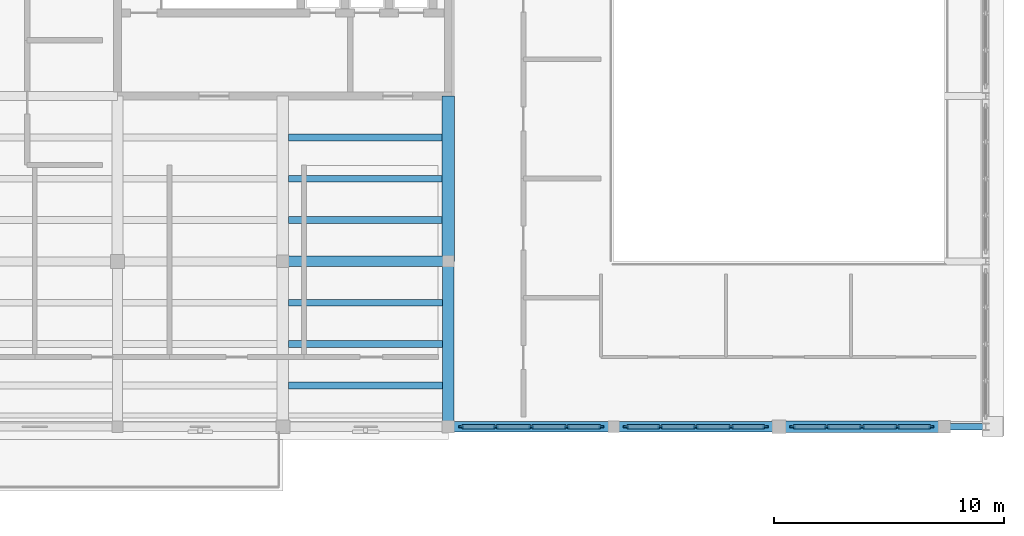
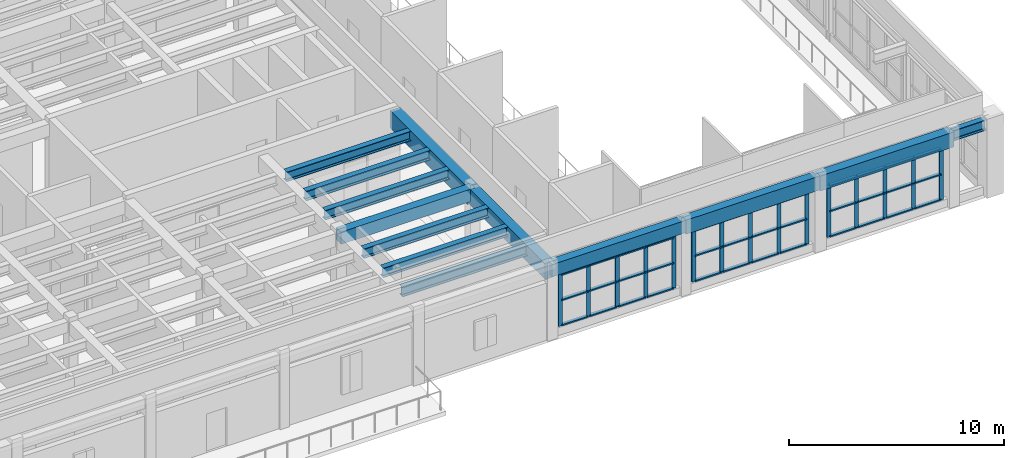
# One storey, part 6 of 18: 51 members, 13 beams, 3 elements without a shape of their own.
"""IFC4 building model written with IfcOpenShell, lengths in metres."""

import ifcopenshell
import ifcopenshell.guid

model = None  # the IFC model being written
_history = None  # IfcOwnerHistory: only IFC2X3 demands one
_inside = {}  # id of a spatial element -> (the spatial element, [elements in it])
_under = {}  # id of a project, library or spatial element -> (it, [spatial elements below it])
_declared = {}  # id of a project -> (the project, [libraries it declares])
_typed = {}  # id of a type object -> (the type object, [elements of that type])
_made_of = {}  # id of a material, layer set ... -> (it, [elements and type objects made of it])


def new_model(schema):
    """Start an empty IFC model of exactly this schema.

    Asked for "IFC4X3", IfcOpenShell would pick the latest addendum, in which some entities
    have other attributes; the version numbers below select the first issue.
    IFC2X3 requires an IfcOwnerHistory on every rooted entity: one is made here for all.
    """
    global model, _history
    if schema == "IFC4X3":
        model = ifcopenshell.file(schema_version=(4, 3, 0, 0))
    else:
        model = ifcopenshell.file(schema=schema)
    _inside.clear()
    _under.clear()
    _declared.clear()
    _typed.clear()
    _made_of.clear()
    _history = None
    if model.schema == "IFC2X3":
        org = make("IfcOrganization", Name="unknown")
        user = make(
            "IfcPersonAndOrganization",
            ThePerson=make("IfcPerson", FamilyName="unknown"),
            TheOrganization=org,
        )
        app = make(
            "IfcApplication",
            ApplicationDeveloper=org,
            Version="unknown",
            ApplicationFullName="unknown",
            ApplicationIdentifier="unknown",
        )
        _history = make(
            "IfcOwnerHistory",
            OwningUser=user,
            OwningApplication=app,
            ChangeAction="ADDED",
            CreationDate=0,
        )
    return model


def make(cls, **values):
    """One entity of the class cls with the attributes given. An attribute that is None is left unset."""
    return model.create_entity(
        cls, **{name: value for name, value in values.items() if value is not None}
    )


def rooted(cls, **values):
    """An entity with a GlobalId (a new one), such as an element, a storey or a relation."""
    return make(cls, GlobalId=ifcopenshell.guid.new(), OwnerHistory=_history, **values)


def si_unit(unit_type, name, prefix=None):
    """IfcSIUnit, for example si_unit("LENGTHUNIT", "METRE", prefix="MILLI")."""
    return make("IfcSIUnit", UnitType=unit_type, Prefix=prefix, Name=name)


def assignment(units):
    """IfcUnitAssignment: the units of a project."""
    return None if units is None else make("IfcUnitAssignment", Units=units)


def point(xyz):
    """IfcCartesianPoint."""
    return None if xyz is None else make("IfcCartesianPoint", Coordinates=xyz)


def direction(xyz):
    """IfcDirection."""
    return None if xyz is None else make("IfcDirection", DirectionRatios=xyz)


def frame(location, z_axis=None, x_axis=None):
    """IfcAxis2Placement3D, a coordinate frame: its origin and axes. An axis left out is left unset."""
    return make(
        "IfcAxis2Placement3D",
        Location=point(location),
        Axis=direction(z_axis),
        RefDirection=direction(x_axis),
    )


def frame_2d(location, x_axis=None):
    """IfcAxis2Placement2D, a coordinate frame in the plane: its origin and x axis."""
    return make(
        "IfcAxis2Placement2D", Location=point(location), RefDirection=direction(x_axis)
    )


def origin():
    """The frame at (0, 0, 0) with its axes left unset."""
    return frame((0.0, 0.0, 0.0))


def origin_2d():
    """The frame at (0, 0) in the plane with its x axis left unset."""
    return frame_2d((0.0, 0.0))


def place(relative_to, where):
    """IfcLocalPlacement: puts the frame where relative to a parent placement (None: the world)."""
    return make(
        "IfcLocalPlacement", PlacementRelTo=relative_to, RelativePlacement=where
    )


def context(
    kind, dimensions, precision=None, world=None, true_north=None, identifier=None
):
    """IfcGeometricRepresentationContext, for example the 3D "Model" context."""
    return make(
        "IfcGeometricRepresentationContext",
        ContextIdentifier=identifier,
        ContextType=kind,
        CoordinateSpaceDimension=dimensions,
        Precision=precision,
        WorldCoordinateSystem=world,
        TrueNorth=true_north,
    )


def subcontext(parent, identifier, kind, view, scale=None):
    """IfcGeometricRepresentationSubContext, for example "Body" below "Model"."""
    return make(
        "IfcGeometricRepresentationSubContext",
        ContextIdentifier=identifier,
        ContextType=kind,
        ParentContext=parent,
        TargetScale=scale,
        TargetView=view,
    )


def project(units=None, contexts=None):
    """IfcProject with its units and contexts."""
    return rooted(
        "IfcProject",
        Name="project",
        RepresentationContexts=contexts,
        UnitsInContext=assignment(units),
    )


def spatial(cls, under=None, at=None, **own):
    """A site, building, storey or space (cls), placed at a placement, below another one or the project."""
    s = rooted(cls, ObjectPlacement=at, **own)
    if under is not None:
        _under.setdefault(under.id(), (under, []))[1].append(s)
    return s


def profile(cls, at=None, kind="AREA", **sizes):
    """A parametric profile (cls). Its sizes go by their IFC names, for example OverallWidth=200.0."""
    return make(cls, ProfileType=kind, Position=at, **sizes)


def rectangle(**sizes):
    """IfcRectangleProfileDef."""
    return profile("IfcRectangleProfileDef", **sizes)


def i_section(**sizes):
    """IfcIShapeProfileDef."""
    return profile("IfcIShapeProfileDef", **sizes)


def extrude(swept, where, along, depth):
    """IfcExtrudedAreaSolid: the profile swept, set in the frame where, extruded along a direction by depth."""
    return make(
        "IfcExtrudedAreaSolid",
        SweptArea=swept,
        Position=where,
        ExtrudedDirection=direction(along),
        Depth=depth,
    )


def shape(context_of_items, identifier, shape_type, items):
    """IfcShapeRepresentation: the items that make up one representation, for example the "Body"."""
    return make(
        "IfcShapeRepresentation",
        ContextOfItems=context_of_items,
        RepresentationIdentifier=identifier,
        RepresentationType=shape_type,
        Items=items,
    )


def material(Name=None, Category=None):
    """IfcMaterial."""
    return make("IfcMaterial", Name=Name, Category=Category)


def material_profile(
    of_material, cross_section, Name=None, Category=None, Priority=None
):
    """IfcMaterialProfile: a cross section and its material."""
    return make(
        "IfcMaterialProfile",
        Name=Name,
        Material=of_material,
        Profile=cross_section,
        Priority=Priority,
        Category=Category,
    )


def profile_set(profiles, Name=None, composite=None):
    """IfcMaterialProfileSet."""
    return make(
        "IfcMaterialProfileSet",
        Name=Name,
        MaterialProfiles=profiles,
        CompositeProfile=composite,
    )


def made_of(thing, what):
    """Note that an element or type object is made of a material, layer set ...; save() writes the relation."""
    if what is not None:
        _made_of.setdefault(what.id(), (what, []))[1].append(thing)
    return thing


def type_object(cls, material=None, **own):
    """A type object (cls), such as IfcWallType, which elements share."""
    return made_of(rooted(cls, **own), material)


def element(
    cls,
    number,
    at=None,
    inside=None,
    cuts=None,
    type_object=None,
    material=None,
    context=None,
    identifier="Body",
    shape_type=None,
    held_by="IfcProductDefinitionShape",
    body=None,
    shapes=None,
    **own,
):
    """One element of the class cls, such as IfcWall. Its Tag is "e" and its number.

    at: its placement. inside: the storey or other place that contains it. cuts: it is an
    opening in that element (IfcRelVoidsElement). A single representation is given by context,
    identifier, shape_type and body (its items); several are given by shapes. held_by: the class
    of the entity that holds the representations. save() writes the other relations.
    """
    e = rooted(cls, Tag="e%d" % number, ObjectPlacement=at, **own)
    if body is not None:
        shapes = [shape(context, identifier, shape_type, body)]
    if shapes is not None:
        e.Representation = make(held_by, Representations=shapes)
    if inside is not None:
        _inside.setdefault(inside.id(), (inside, []))[1].append(e)
    if cuts is not None:
        rooted(
            "IfcRelVoidsElement", RelatingBuildingElement=cuts, RelatedOpeningElement=e
        )
    if type_object is not None:
        _typed.setdefault(type_object.id(), (type_object, []))[1].append(e)
    return made_of(e, material)


def aggregate(whole, parts):
    """IfcRelAggregates: a whole, such as a stair, and the parts it consists of."""
    return rooted("IfcRelAggregates", RelatingObject=whole, RelatedObjects=parts)


def save(model, path):
    """Write the relations noted so far, then the file.

    IfcRelAggregates (storeys below a building ...), IfcRelContainedInSpatialStructure (elements
    in a storey), IfcRelDefinesByType, IfcRelAssociatesMaterial and IfcRelDeclares: one each for
    every whole, place, type object, material and project.
    """
    for whole, parts in _under.values():
        aggregate(whole, parts)
    for where, things in _inside.values():
        rooted(
            "IfcRelContainedInSpatialStructure",
            RelatedElements=things,
            RelatingStructure=where,
        )
    for kind, things in _typed.values():
        rooted("IfcRelDefinesByType", RelatedObjects=things, RelatingType=kind)
    for what, things in _made_of.values():
        rooted("IfcRelAssociatesMaterial", RelatedObjects=things, RelatingMaterial=what)
    for by, libraries in _declared.values():
        rooted("IfcRelDeclares", RelatingContext=by, RelatedDefinitions=libraries)
    model.write(path)


model = new_model("IFC4")

# Units and contexts
model_context = context("Model", 3, precision=1e-05, world=origin(), true_north=direction((0.0, 1.0)))
body_context = subcontext(model_context, "Body", "Model", "MODEL_VIEW")
ifc_project = project(units=[si_unit("LENGTHUNIT", "METRE"), si_unit("AREAUNIT", "SQUARE_METRE"), si_unit("VOLUMEUNIT", "CUBIC_METRE"), si_unit("PLANEANGLEUNIT", "RADIAN"), si_unit("MASSUNIT", "GRAM", prefix="KILO")], contexts=[model_context])

# Site, building, storey
site_placement = place(None, origin())
site = spatial("IfcSite", under=ifc_project, at=site_placement, CompositionType="ELEMENT")
building_placement = place(site_placement, origin())
building = spatial("IfcBuilding", under=site, at=building_placement, Name="Mithqara Police Headquarters", CompositionType="ELEMENT")
storey_placement = place(building_placement, frame((0.0, 0.0, 30.89990234375)))
storey = spatial("IfcBuildingStorey", under=building, at=storey_placement, Name="L07", CompositionType="ELEMENT", Elevation=30.89990234375)

# Beams
ifc_material_1 = material(Name="Steel S355JR", Category="steel")
ifc_material_profile_1 = material_profile(ifc_material_1, i_section(OverallWidth=0.300048828125, OverallDepth=0.550048828125, WebThickness=0.014892578125, FlangeThickness=0.029052734375, FilletRadius=0.027099609375, at=origin_2d()), Name="HEB 550")
ifc_profile_set_1 = profile_set([ifc_material_profile_1], Name="Steel S355JR")
beam_type_1 = type_object("IfcBeamType", Name="BEAM HEB550", PredefinedType="BEAM", material=ifc_profile_set_1)
for number, where, z_axis, x_axis, name in (
    (1, (137.64990234375, 80.39990234375, 3.97509765625), (1.0, 0.0, 0.0), (0.0, 1.0, 0.0), "L07 Composite Steel Joist 20-21/M.1"),
    (2, (137.64990234375, 82.199951171875, 3.97509765625), (1.0, 0.0, 0.0), (0.0, 1.0, 0.0), "L07 Composite Steel Joist 20-21/M.2"),
    (3, (137.64990234375, 84.0, 3.97509765625), (1.0, 0.0, 0.0), (0.0, 1.0, 0.0), "L07 Composite Steel Joist 20-21/M.3"),
):
    element("IfcBeam", number, at=place(storey_placement, frame(where, z_axis=z_axis, x_axis=x_axis)), inside=storey, type_object=beam_type_1, Name=name, PredefinedType="BEAM", context=body_context, shape_type="SweptSolid", body=[
        extrude(i_section(OverallWidth=0.300048828125, OverallDepth=0.550048828125, WebThickness=0.014892578125, FlangeThickness=0.029052734375, FilletRadius=0.027099609375, at=origin_2d()), origin(), (0.0, 0.0, 1.0), 6.7001953125),
    ])
for number, where, z_axis, x_axis, name in (
    (4, (137.64990234375, 87.60009765625, 3.97509765625), (1.0, 0.0, 0.0), (0.0, 1.0, 0.0), "L07 Composite Steel Joist 20-21/N.1"),
    (5, (137.64990234375, 89.39990234375, 3.97509765625), (1.0, 0.0, 0.0), (0.0, 1.0, 0.0), "L07 Composite Steel Joist 20-21/N.2"),
    (6, (137.64990234375, 91.199951171875, 3.97509765625), (1.0, 0.0, 0.0), (0.0, 1.0, 0.0), "L07 Composite Steel Joist 20-21/N.3"),
):
    element("IfcBeam", number, at=place(storey_placement, frame(where, z_axis=z_axis, x_axis=x_axis)), inside=storey, type_object=beam_type_1, Name=name, PredefinedType="BEAM", context=body_context, shape_type="SweptSolid", body=[
        extrude(i_section(OverallWidth=0.300048828125, OverallDepth=0.550048828125, WebThickness=0.014892578125, FlangeThickness=0.029052734375, FilletRadius=0.027099609375, at=origin_2d()), origin(), (0.0, 0.0, 1.0), 6.675048828125),
    ])
ifc_material_2 = material(Name="Concrete C40/50", Category="concrete")
ifc_material_profile_2 = material_profile(ifc_material_2, rectangle(XDim=0.449951171875, YDim=0.699951171875, at=origin_2d()), Name="RC 450x700")
ifc_profile_set_2 = profile_set([ifc_material_profile_2], Name="Concrete C40/50")
beam_type_2 = type_object("IfcBeamType", Name="BEAM RC450X700", PredefinedType="BEAM", material=ifc_profile_set_2)
beam_1_placement = place(storey_placement, frame((137.39990234375, 85.800048828125, 3.900146484375), z_axis=(1.0, 0.0, 0.0), x_axis=(0.0, 1.0, 0.0)))
element("IfcBeam", 7, at=beam_1_placement, inside=storey, type_object=beam_type_2, Name="L07 Girder 20-21/N", PredefinedType="BEAM", context=body_context, shape_type="SweptSolid", body=[
    extrude(rectangle(XDim=0.449951171875, YDim=0.699951171875, at=origin_2d()), origin(), (0.0, 0.0, 1.0), 7.2001953125),
])
beam_2_placement = place(storey_placement, frame((144.60009765625, 78.60009765625, 3.900146484375), z_axis=(1.0, 0.0, 0.0), x_axis=(0.0, 1.0, 0.0)))
element("IfcBeam", 8, at=beam_2_placement, inside=storey, type_object=beam_type_2, Name="L07 Girder 21-22/M", PredefinedType="BEAM", context=body_context, shape_type="SweptSolid", body=[
    extrude(rectangle(XDim=0.449951171875, YDim=0.699951171875, at=origin_2d()), origin(), (0.0, 0.0, 1.0), 7.199951171875),
])
ifc_material_profile_3 = material_profile(ifc_material_2, rectangle(XDim=0.449951171875, YDim=0.800048828125, at=origin_2d()), Name="RC 450x800")
ifc_profile_set_3 = profile_set([ifc_material_profile_3], Name="Concrete C40/50")
beam_type_3 = type_object("IfcBeamType", Name="BEAM RC450X800", PredefinedType="BEAM", material=ifc_profile_set_3)
beam_3_placement = place(storey_placement, frame((151.800048828125, 78.60009765625, 3.85009765625), z_axis=(1.0, 0.0, 0.0), x_axis=(0.0, 1.0, 0.0)))
element("IfcBeam", 9, at=beam_3_placement, inside=storey, type_object=beam_type_3, Name="L07 Girder 22-23/M", PredefinedType="BEAM", context=body_context, shape_type="SweptSolid", body=[
    extrude(rectangle(XDim=0.449951171875, YDim=0.800048828125, at=origin_2d()), origin(), (0.0, 0.0, 1.0), 7.199951171875),
])
ifc_material_profile_4 = material_profile(ifc_material_2, rectangle(XDim=0.5, YDim=0.85009765625, at=origin_2d()), Name="RC 500x850")
ifc_profile_set_4 = profile_set([ifc_material_profile_4], Name="Concrete C40/50")
beam_type_4 = type_object("IfcBeamType", Name="BEAM RC500X850", PredefinedType="BEAM", material=ifc_profile_set_4)
beam_4_placement = place(storey_placement, frame((159.0, 78.60009765625, 3.8251953125), z_axis=(1.0, 0.0, 0.0), x_axis=(0.0, 1.0, 0.0)))
element("IfcBeam", 10, at=beam_4_placement, inside=storey, type_object=beam_type_4, Name="L07 Girder 23-24/M", PredefinedType="BEAM", context=body_context, shape_type="SweptSolid", body=[
    extrude(rectangle(XDim=0.5, YDim=0.85009765625, at=origin_2d()), origin(), (0.0, 0.0, 1.0), 7.199951171875),
])
ifc_material_3 = material(Name="Concrete C50/60", Category="concrete")
ifc_material_profile_5 = material_profile(ifc_material_3, rectangle(XDim=0.5, YDim=0.89990234375, at=origin_2d()), Name="RC 500x900")
ifc_profile_set_5 = profile_set([ifc_material_profile_5], Name="Concrete C50/60")
beam_type_5 = type_object("IfcBeamType", Name="BEAM RC500X900", PredefinedType="BEAM", material=ifc_profile_set_5)
beam_5_placement = place(storey_placement, frame((144.60009765625, 78.60009765625, 3.800048828125), z_axis=(0.0, 1.0, 0.0), x_axis=(-1.0, 0.0, 0.0)))
element("IfcBeam", 11, at=beam_5_placement, inside=storey, type_object=beam_type_5, Name="L07 Girder 21/M-N", PredefinedType="BEAM", context=body_context, shape_type="SweptSolid", body=[
    extrude(rectangle(XDim=0.5, YDim=0.89990234375, at=origin_2d()), origin(), (0.0, 0.0, 1.0), 7.199951171875),
])
ifc_material_profile_6 = material_profile(ifc_material_3, rectangle(XDim=0.550048828125, YDim=1.0, at=origin_2d()), Name="RC 550x1000")
ifc_profile_set_6 = profile_set([ifc_material_profile_6], Name="Concrete C50/60")
beam_type_6 = type_object("IfcBeamType", Name="BEAM RC550X1000", PredefinedType="BEAM", material=ifc_profile_set_6)
beam_6_placement = place(storey_placement, frame((144.60009765625, 85.800048828125, 3.75), z_axis=(0.0, 1.0, 0.0), x_axis=(-1.0, 0.0, 0.0)))
element("IfcBeam", 12, at=beam_6_placement, inside=storey, type_object=beam_type_6, Name="L07 Girder 21/N-P", PredefinedType="BEAM", context=body_context, shape_type="SweptSolid", body=[
    extrude(rectangle(XDim=0.550048828125, YDim=1.0, at=origin_2d()), origin(), (0.0, 0.0, 1.0), 7.199951171875),
])

# Curtain wall, members
ifc_material_4 = material(Name="Bronze anodised aluminium 6063-T6", Category="aluminium")
curtain_wall_type_1 = type_object("IfcCurtainWallType", Name="CURTAIN WALL 6175X2950", PredefinedType="USERDEFINED", material=ifc_material_4)
curtain_wall_1_placement = place(storey_placement, origin())
curtain_wall_1 = element("IfcCurtainWall", 13, at=curtain_wall_1_placement, inside=storey, type_object=curtain_wall_type_1, Name="L07 Unitised Glazing CW-06 (CW-CUBE-L07-P0-E01-S0-00)", ObjectType="UNITISED GLAZING", PredefinedType="USERDEFINED")
ifc_material_profile_7 = material_profile(ifc_material_4, rectangle(XDim=0.074951171875, YDim=0.219970703125, at=origin_2d()), Name="CWM 75x220")
ifc_profile_set_7 = profile_set([ifc_material_profile_7], Name="Bronze anodised aluminium 6063-T6")
member_type_1 = type_object("IfcMemberType", Name="CWMULLION 75X220", PredefinedType="MULLION", material=ifc_profile_set_7)
member_1_placement = place(storey_placement, frame((145.16259765625, 78.60009765625, 0.4501953125), z_axis=(0.0, 0.0, 1.0), x_axis=(0.0, 1.0, 0.0)))
member_1 = element("IfcMember", 14, at=member_1_placement, type_object=member_type_1, Name="CW-06 mullion 1", PredefinedType="MULLION", context=body_context, shape_type="SweptSolid", body=[
    extrude(rectangle(XDim=0.074951171875, YDim=0.219970703125, at=origin_2d()), origin(), (0.0, 0.0, 1.0), 2.949951171875),
])
member_2_placement = place(storey_placement, frame((146.668701171875, 78.60009765625, 0.4501953125), z_axis=(0.0, 0.0, 1.0), x_axis=(0.0, 1.0, 0.0)))
member_2 = element("IfcMember", 15, at=member_2_placement, type_object=member_type_1, Name="CW-06 mullion 2", PredefinedType="MULLION", context=body_context, shape_type="SweptSolid", body=[
    extrude(rectangle(XDim=0.074951171875, YDim=0.219970703125, at=origin_2d()), origin(), (0.0, 0.0, 1.0), 2.949951171875),
])
member_3_placement = place(storey_placement, frame((148.21240234375, 78.60009765625, 0.4501953125), z_axis=(0.0, 0.0, 1.0), x_axis=(0.0, 1.0, 0.0)))
member_3 = element("IfcMember", 16, at=member_3_placement, type_object=member_type_1, Name="CW-06 mullion 3", PredefinedType="MULLION", context=body_context, shape_type="SweptSolid", body=[
    extrude(rectangle(XDim=0.074951171875, YDim=0.219970703125, at=origin_2d()), origin(), (0.0, 0.0, 1.0), 2.949951171875),
])
member_4_placement = place(storey_placement, frame((149.75634765625, 78.60009765625, 0.4501953125), z_axis=(0.0, 0.0, 1.0), x_axis=(0.0, 1.0, 0.0)))
member_4 = element("IfcMember", 17, at=member_4_placement, type_object=member_type_1, Name="CW-06 mullion 4", PredefinedType="MULLION", context=body_context, shape_type="SweptSolid", body=[
    extrude(rectangle(XDim=0.074951171875, YDim=0.219970703125, at=origin_2d()), origin(), (0.0, 0.0, 1.0), 2.949951171875),
])
member_5_placement = place(storey_placement, frame((151.262451171875, 78.60009765625, 0.4501953125), z_axis=(0.0, 0.0, 1.0), x_axis=(0.0, 1.0, 0.0)))
member_5 = element("IfcMember", 18, at=member_5_placement, type_object=member_type_1, Name="CW-06 mullion 5", PredefinedType="MULLION", context=body_context, shape_type="SweptSolid", body=[
    extrude(rectangle(XDim=0.074951171875, YDim=0.219970703125, at=origin_2d()), origin(), (0.0, 0.0, 1.0), 2.949951171875),
])

curtain_wall_type_2 = type_object("IfcCurtainWallType", Name="CURTAIN WALL 6150X2950", PredefinedType="USERDEFINED", material=ifc_material_4)
curtain_wall_2_placement = place(storey_placement, origin())
curtain_wall_2 = element("IfcCurtainWall", 19, at=curtain_wall_2_placement, inside=storey, type_object=curtain_wall_type_2, Name="L07 Unitised Glazing CW-07 (CW-CUBE-L07-P0-E01-S0-01)", ObjectType="UNITISED GLAZING", PredefinedType="USERDEFINED")
member_6_placement = place(storey_placement, frame((152.33740234375, 78.60009765625, 0.4501953125), z_axis=(0.0, 0.0, 1.0), x_axis=(0.0, 1.0, 0.0)))
member_6 = element("IfcMember", 20, at=member_6_placement, type_object=member_type_1, Name="CW-07 mullion 1", PredefinedType="MULLION", context=body_context, shape_type="SweptSolid", body=[
    extrude(rectangle(XDim=0.074951171875, YDim=0.219970703125, at=origin_2d()), origin(), (0.0, 0.0, 1.0), 2.949951171875),
])
member_7_placement = place(storey_placement, frame((153.83740234375, 78.60009765625, 0.4501953125), z_axis=(0.0, 0.0, 1.0), x_axis=(0.0, 1.0, 0.0)))
member_7 = element("IfcMember", 21, at=member_7_placement, type_object=member_type_1, Name="CW-07 mullion 2", PredefinedType="MULLION", context=body_context, shape_type="SweptSolid", body=[
    extrude(rectangle(XDim=0.074951171875, YDim=0.219970703125, at=origin_2d()), origin(), (0.0, 0.0, 1.0), 2.949951171875),
])
member_8_placement = place(storey_placement, frame((155.375, 78.60009765625, 0.4501953125), z_axis=(0.0, 0.0, 1.0), x_axis=(0.0, 1.0, 0.0)))
member_8 = element("IfcMember", 22, at=member_8_placement, type_object=member_type_1, Name="CW-07 mullion 3", PredefinedType="MULLION", context=body_context, shape_type="SweptSolid", body=[
    extrude(rectangle(XDim=0.074951171875, YDim=0.219970703125, at=origin_2d()), origin(), (0.0, 0.0, 1.0), 2.949951171875),
])
member_9_placement = place(storey_placement, frame((156.91259765625, 78.60009765625, 0.4501953125), z_axis=(0.0, 0.0, 1.0), x_axis=(0.0, 1.0, 0.0)))
member_9 = element("IfcMember", 23, at=member_9_placement, type_object=member_type_1, Name="CW-07 mullion 4", PredefinedType="MULLION", context=body_context, shape_type="SweptSolid", body=[
    extrude(rectangle(XDim=0.074951171875, YDim=0.219970703125, at=origin_2d()), origin(), (0.0, 0.0, 1.0), 2.949951171875),
])
member_10_placement = place(storey_placement, frame((158.41259765625, 78.60009765625, 0.4501953125), z_axis=(0.0, 0.0, 1.0), x_axis=(0.0, 1.0, 0.0)))
member_10 = element("IfcMember", 24, at=member_10_placement, type_object=member_type_1, Name="CW-07 mullion 5", PredefinedType="MULLION", context=body_context, shape_type="SweptSolid", body=[
    extrude(rectangle(XDim=0.074951171875, YDim=0.219970703125, at=origin_2d()), origin(), (0.0, 0.0, 1.0), 2.949951171875),
])

curtain_wall_type_3 = type_object("IfcCurtainWallType", Name="CURTAIN WALL 6125X2950", PredefinedType="USERDEFINED", material=ifc_material_4)
curtain_wall_3_placement = place(storey_placement, origin())
curtain_wall_3 = element("IfcCurtainWall", 25, at=curtain_wall_3_placement, inside=storey, type_object=curtain_wall_type_3, Name="L07 Unitised Glazing CW-08 (CW-CUBE-L07-P0-E01-S0-02)", ObjectType="UNITISED GLAZING", PredefinedType="USERDEFINED")
member_11_placement = place(storey_placement, frame((159.58740234375, 78.60009765625, 0.4501953125), z_axis=(0.0, 0.0, 1.0), x_axis=(0.0, 1.0, 0.0)))
member_11 = element("IfcMember", 26, at=member_11_placement, type_object=member_type_1, Name="CW-08 mullion 1", PredefinedType="MULLION", context=body_context, shape_type="SweptSolid", body=[
    extrude(rectangle(XDim=0.074951171875, YDim=0.219970703125, at=origin_2d()), origin(), (0.0, 0.0, 1.0), 2.949951171875),
])
member_12_placement = place(storey_placement, frame((161.081298828125, 78.60009765625, 0.4501953125), z_axis=(0.0, 0.0, 1.0), x_axis=(0.0, 1.0, 0.0)))
member_12 = element("IfcMember", 27, at=member_12_placement, type_object=member_type_1, Name="CW-08 mullion 2", PredefinedType="MULLION", context=body_context, shape_type="SweptSolid", body=[
    extrude(rectangle(XDim=0.074951171875, YDim=0.219970703125, at=origin_2d()), origin(), (0.0, 0.0, 1.0), 2.949951171875),
])
member_13_placement = place(storey_placement, frame((162.612548828125, 78.60009765625, 0.4501953125), z_axis=(0.0, 0.0, 1.0), x_axis=(0.0, 1.0, 0.0)))
member_13 = element("IfcMember", 28, at=member_13_placement, type_object=member_type_1, Name="CW-08 mullion 3", PredefinedType="MULLION", context=body_context, shape_type="SweptSolid", body=[
    extrude(rectangle(XDim=0.074951171875, YDim=0.219970703125, at=origin_2d()), origin(), (0.0, 0.0, 1.0), 2.949951171875),
])
member_14_placement = place(storey_placement, frame((164.143798828125, 78.60009765625, 0.4501953125), z_axis=(0.0, 0.0, 1.0), x_axis=(0.0, 1.0, 0.0)))
member_14 = element("IfcMember", 29, at=member_14_placement, type_object=member_type_1, Name="CW-08 mullion 4", PredefinedType="MULLION", context=body_context, shape_type="SweptSolid", body=[
    extrude(rectangle(XDim=0.074951171875, YDim=0.219970703125, at=origin_2d()), origin(), (0.0, 0.0, 1.0), 2.949951171875),
])
member_15_placement = place(storey_placement, frame((165.637451171875, 78.60009765625, 0.4501953125), z_axis=(0.0, 0.0, 1.0), x_axis=(0.0, 1.0, 0.0)))
member_15 = element("IfcMember", 30, at=member_15_placement, type_object=member_type_1, Name="CW-08 mullion 5", PredefinedType="MULLION", context=body_context, shape_type="SweptSolid", body=[
    extrude(rectangle(XDim=0.074951171875, YDim=0.219970703125, at=origin_2d()), origin(), (0.0, 0.0, 1.0), 2.949951171875),
])

# Member
ifc_material_profile_8 = material_profile(ifc_material_4, rectangle(XDim=0.179931640625, YDim=0.074951171875, at=origin_2d()), Name="CWT 180x75")
ifc_profile_set_8 = profile_set([ifc_material_profile_8], Name="Bronze anodised aluminium 6063-T6")
member_type_2 = type_object("IfcMemberType", Name="CWTRANSOM 180X75", PredefinedType="USERDEFINED", material=ifc_profile_set_8)
member_16_placement = place(storey_placement, frame((145.199951171875, 78.60009765625, 0.487548828125), z_axis=(1.0, 0.0, 0.0), x_axis=(0.0, 1.0, 0.0)))
member_16 = element("IfcMember", 31, at=member_16_placement, type_object=member_type_2, Name="CW-06 transom 1.1", ObjectType="TRANSOM", PredefinedType="USERDEFINED", context=body_context, shape_type="SweptSolid", body=[
    extrude(rectangle(XDim=0.179931640625, YDim=0.074951171875, at=origin_2d()), origin(), (0.0, 0.0, 1.0), 1.431396484375),
])

member_17_placement = place(storey_placement, frame((145.199951171875, 78.60009765625, 1.925048828125), z_axis=(1.0, 0.0, 0.0), x_axis=(0.0, 1.0, 0.0)))
member_17 = element("IfcMember", 32, at=member_17_placement, type_object=member_type_2, Name="CW-06 transom 1.2", ObjectType="TRANSOM", PredefinedType="USERDEFINED", context=body_context, shape_type="SweptSolid", body=[
    extrude(rectangle(XDim=0.179931640625, YDim=0.074951171875, at=origin_2d()), origin(), (0.0, 0.0, 1.0), 1.431396484375),
])

member_18_placement = place(storey_placement, frame((145.199951171875, 78.60009765625, 3.362548828125), z_axis=(1.0, 0.0, 0.0), x_axis=(0.0, 1.0, 0.0)))
member_18 = element("IfcMember", 33, at=member_18_placement, type_object=member_type_2, Name="CW-06 transom 1.3", ObjectType="TRANSOM", PredefinedType="USERDEFINED", context=body_context, shape_type="SweptSolid", body=[
    extrude(rectangle(XDim=0.179931640625, YDim=0.074951171875, at=origin_2d()), origin(), (0.0, 0.0, 1.0), 1.431396484375),
])

member_19_placement = place(storey_placement, frame((146.706298828125, 78.60009765625, 0.487548828125), z_axis=(1.0, 0.0, 0.0), x_axis=(0.0, 1.0, 0.0)))
member_19 = element("IfcMember", 34, at=member_19_placement, type_object=member_type_2, Name="CW-06 transom 2.1", ObjectType="TRANSOM", PredefinedType="USERDEFINED", context=body_context, shape_type="SweptSolid", body=[
    extrude(rectangle(XDim=0.179931640625, YDim=0.074951171875, at=origin_2d()), origin(), (0.0, 0.0, 1.0), 1.46875),
])

member_20_placement = place(storey_placement, frame((146.706298828125, 78.60009765625, 1.925048828125), z_axis=(1.0, 0.0, 0.0), x_axis=(0.0, 1.0, 0.0)))
member_20 = element("IfcMember", 35, at=member_20_placement, type_object=member_type_2, Name="CW-06 transom 2.2", ObjectType="TRANSOM", PredefinedType="USERDEFINED", context=body_context, shape_type="SweptSolid", body=[
    extrude(rectangle(XDim=0.179931640625, YDim=0.074951171875, at=origin_2d()), origin(), (0.0, 0.0, 1.0), 1.46875),
])

member_21_placement = place(storey_placement, frame((146.706298828125, 78.60009765625, 3.362548828125), z_axis=(1.0, 0.0, 0.0), x_axis=(0.0, 1.0, 0.0)))
member_21 = element("IfcMember", 36, at=member_21_placement, type_object=member_type_2, Name="CW-06 transom 2.3", ObjectType="TRANSOM", PredefinedType="USERDEFINED", context=body_context, shape_type="SweptSolid", body=[
    extrude(rectangle(XDim=0.179931640625, YDim=0.074951171875, at=origin_2d()), origin(), (0.0, 0.0, 1.0), 1.46875),
])

member_22_placement = place(storey_placement, frame((148.25, 78.60009765625, 0.487548828125), z_axis=(1.0, 0.0, 0.0), x_axis=(0.0, 1.0, 0.0)))
member_22 = element("IfcMember", 37, at=member_22_placement, type_object=member_type_2, Name="CW-06 transom 3.1", ObjectType="TRANSOM", PredefinedType="USERDEFINED", context=body_context, shape_type="SweptSolid", body=[
    extrude(rectangle(XDim=0.179931640625, YDim=0.074951171875, at=origin_2d()), origin(), (0.0, 0.0, 1.0), 1.46875),
])

member_23_placement = place(storey_placement, frame((148.25, 78.60009765625, 1.925048828125), z_axis=(1.0, 0.0, 0.0), x_axis=(0.0, 1.0, 0.0)))
member_23 = element("IfcMember", 38, at=member_23_placement, type_object=member_type_2, Name="CW-06 transom 3.2", ObjectType="TRANSOM", PredefinedType="USERDEFINED", context=body_context, shape_type="SweptSolid", body=[
    extrude(rectangle(XDim=0.179931640625, YDim=0.074951171875, at=origin_2d()), origin(), (0.0, 0.0, 1.0), 1.46875),
])

member_24_placement = place(storey_placement, frame((148.25, 78.60009765625, 3.362548828125), z_axis=(1.0, 0.0, 0.0), x_axis=(0.0, 1.0, 0.0)))
member_24 = element("IfcMember", 39, at=member_24_placement, type_object=member_type_2, Name="CW-06 transom 3.3", ObjectType="TRANSOM", PredefinedType="USERDEFINED", context=body_context, shape_type="SweptSolid", body=[
    extrude(rectangle(XDim=0.179931640625, YDim=0.074951171875, at=origin_2d()), origin(), (0.0, 0.0, 1.0), 1.46875),
])

member_25_placement = place(storey_placement, frame((149.793701171875, 78.60009765625, 0.487548828125), z_axis=(1.0, 0.0, 0.0), x_axis=(0.0, 1.0, 0.0)))
member_25 = element("IfcMember", 40, at=member_25_placement, type_object=member_type_2, Name="CW-06 transom 4.1", ObjectType="TRANSOM", PredefinedType="USERDEFINED", context=body_context, shape_type="SweptSolid", body=[
    extrude(rectangle(XDim=0.179931640625, YDim=0.074951171875, at=origin_2d()), origin(), (0.0, 0.0, 1.0), 1.431396484375),
])

member_26_placement = place(storey_placement, frame((149.793701171875, 78.60009765625, 1.925048828125), z_axis=(1.0, 0.0, 0.0), x_axis=(0.0, 1.0, 0.0)))
member_26 = element("IfcMember", 41, at=member_26_placement, type_object=member_type_2, Name="CW-06 transom 4.2", ObjectType="TRANSOM", PredefinedType="USERDEFINED", context=body_context, shape_type="SweptSolid", body=[
    extrude(rectangle(XDim=0.179931640625, YDim=0.074951171875, at=origin_2d()), origin(), (0.0, 0.0, 1.0), 1.431396484375),
])

member_27_placement = place(storey_placement, frame((149.793701171875, 78.60009765625, 3.362548828125), z_axis=(1.0, 0.0, 0.0), x_axis=(0.0, 1.0, 0.0)))
member_27 = element("IfcMember", 42, at=member_27_placement, type_object=member_type_2, Name="CW-06 transom 4.3", ObjectType="TRANSOM", PredefinedType="USERDEFINED", context=body_context, shape_type="SweptSolid", body=[
    extrude(rectangle(XDim=0.179931640625, YDim=0.074951171875, at=origin_2d()), origin(), (0.0, 0.0, 1.0), 1.431396484375),
])

aggregate(curtain_wall_1, [member_1, member_2, member_3, member_4, member_5, member_16, member_17, member_18, member_19, member_20, member_21, member_22, member_23, member_24, member_25, member_26, member_27])

member_28_placement = place(storey_placement, frame((152.375, 78.60009765625, 0.487548828125), z_axis=(1.0, 0.0, 0.0), x_axis=(0.0, 1.0, 0.0)))
member_28 = element("IfcMember", 43, at=member_28_placement, type_object=member_type_2, Name="CW-07 transom 1.1", ObjectType="TRANSOM", PredefinedType="USERDEFINED", context=body_context, shape_type="SweptSolid", body=[
    extrude(rectangle(XDim=0.179931640625, YDim=0.074951171875, at=origin_2d()), origin(), (0.0, 0.0, 1.0), 1.425048828125),
])

member_29_placement = place(storey_placement, frame((152.375, 78.60009765625, 1.925048828125), z_axis=(1.0, 0.0, 0.0), x_axis=(0.0, 1.0, 0.0)))
member_29 = element("IfcMember", 44, at=member_29_placement, type_object=member_type_2, Name="CW-07 transom 1.2", ObjectType="TRANSOM", PredefinedType="USERDEFINED", context=body_context, shape_type="SweptSolid", body=[
    extrude(rectangle(XDim=0.179931640625, YDim=0.074951171875, at=origin_2d()), origin(), (0.0, 0.0, 1.0), 1.425048828125),
])

member_30_placement = place(storey_placement, frame((152.375, 78.60009765625, 3.362548828125), z_axis=(1.0, 0.0, 0.0), x_axis=(0.0, 1.0, 0.0)))
member_30 = element("IfcMember", 45, at=member_30_placement, type_object=member_type_2, Name="CW-07 transom 1.3", ObjectType="TRANSOM", PredefinedType="USERDEFINED", context=body_context, shape_type="SweptSolid", body=[
    extrude(rectangle(XDim=0.179931640625, YDim=0.074951171875, at=origin_2d()), origin(), (0.0, 0.0, 1.0), 1.425048828125),
])

member_31_placement = place(storey_placement, frame((153.875, 78.60009765625, 0.487548828125), z_axis=(1.0, 0.0, 0.0), x_axis=(0.0, 1.0, 0.0)))
member_31 = element("IfcMember", 46, at=member_31_placement, type_object=member_type_2, Name="CW-07 transom 2.1", ObjectType="TRANSOM", PredefinedType="USERDEFINED", context=body_context, shape_type="SweptSolid", body=[
    extrude(rectangle(XDim=0.179931640625, YDim=0.074951171875, at=origin_2d()), origin(), (0.0, 0.0, 1.0), 1.46240234375),
])

member_32_placement = place(storey_placement, frame((153.875, 78.60009765625, 1.925048828125), z_axis=(1.0, 0.0, 0.0), x_axis=(0.0, 1.0, 0.0)))
member_32 = element("IfcMember", 47, at=member_32_placement, type_object=member_type_2, Name="CW-07 transom 2.2", ObjectType="TRANSOM", PredefinedType="USERDEFINED", context=body_context, shape_type="SweptSolid", body=[
    extrude(rectangle(XDim=0.179931640625, YDim=0.074951171875, at=origin_2d()), origin(), (0.0, 0.0, 1.0), 1.46240234375),
])

member_33_placement = place(storey_placement, frame((153.875, 78.60009765625, 3.362548828125), z_axis=(1.0, 0.0, 0.0), x_axis=(0.0, 1.0, 0.0)))
member_33 = element("IfcMember", 48, at=member_33_placement, type_object=member_type_2, Name="CW-07 transom 2.3", ObjectType="TRANSOM", PredefinedType="USERDEFINED", context=body_context, shape_type="SweptSolid", body=[
    extrude(rectangle(XDim=0.179931640625, YDim=0.074951171875, at=origin_2d()), origin(), (0.0, 0.0, 1.0), 1.46240234375),
])

member_34_placement = place(storey_placement, frame((155.41259765625, 78.60009765625, 0.487548828125), z_axis=(1.0, 0.0, 0.0), x_axis=(0.0, 1.0, 0.0)))
member_34 = element("IfcMember", 49, at=member_34_placement, type_object=member_type_2, Name="CW-07 transom 3.1", ObjectType="TRANSOM", PredefinedType="USERDEFINED", context=body_context, shape_type="SweptSolid", body=[
    extrude(rectangle(XDim=0.179931640625, YDim=0.074951171875, at=origin_2d()), origin(), (0.0, 0.0, 1.0), 1.46240234375),
])

member_35_placement = place(storey_placement, frame((155.41259765625, 78.60009765625, 1.925048828125), z_axis=(1.0, 0.0, 0.0), x_axis=(0.0, 1.0, 0.0)))
member_35 = element("IfcMember", 50, at=member_35_placement, type_object=member_type_2, Name="CW-07 transom 3.2", ObjectType="TRANSOM", PredefinedType="USERDEFINED", context=body_context, shape_type="SweptSolid", body=[
    extrude(rectangle(XDim=0.179931640625, YDim=0.074951171875, at=origin_2d()), origin(), (0.0, 0.0, 1.0), 1.46240234375),
])

member_36_placement = place(storey_placement, frame((155.41259765625, 78.60009765625, 3.362548828125), z_axis=(1.0, 0.0, 0.0), x_axis=(0.0, 1.0, 0.0)))
member_36 = element("IfcMember", 51, at=member_36_placement, type_object=member_type_2, Name="CW-07 transom 3.3", ObjectType="TRANSOM", PredefinedType="USERDEFINED", context=body_context, shape_type="SweptSolid", body=[
    extrude(rectangle(XDim=0.179931640625, YDim=0.074951171875, at=origin_2d()), origin(), (0.0, 0.0, 1.0), 1.46240234375),
])

member_37_placement = place(storey_placement, frame((156.949951171875, 78.60009765625, 0.487548828125), z_axis=(1.0, 0.0, 0.0), x_axis=(0.0, 1.0, 0.0)))
member_37 = element("IfcMember", 52, at=member_37_placement, type_object=member_type_2, Name="CW-07 transom 4.1", ObjectType="TRANSOM", PredefinedType="USERDEFINED", context=body_context, shape_type="SweptSolid", body=[
    extrude(rectangle(XDim=0.179931640625, YDim=0.074951171875, at=origin_2d()), origin(), (0.0, 0.0, 1.0), 1.425048828125),
])

member_38_placement = place(storey_placement, frame((156.949951171875, 78.60009765625, 1.925048828125), z_axis=(1.0, 0.0, 0.0), x_axis=(0.0, 1.0, 0.0)))
member_38 = element("IfcMember", 53, at=member_38_placement, type_object=member_type_2, Name="CW-07 transom 4.2", ObjectType="TRANSOM", PredefinedType="USERDEFINED", context=body_context, shape_type="SweptSolid", body=[
    extrude(rectangle(XDim=0.179931640625, YDim=0.074951171875, at=origin_2d()), origin(), (0.0, 0.0, 1.0), 1.425048828125),
])

member_39_placement = place(storey_placement, frame((156.949951171875, 78.60009765625, 3.362548828125), z_axis=(1.0, 0.0, 0.0), x_axis=(0.0, 1.0, 0.0)))
member_39 = element("IfcMember", 54, at=member_39_placement, type_object=member_type_2, Name="CW-07 transom 4.3", ObjectType="TRANSOM", PredefinedType="USERDEFINED", context=body_context, shape_type="SweptSolid", body=[
    extrude(rectangle(XDim=0.179931640625, YDim=0.074951171875, at=origin_2d()), origin(), (0.0, 0.0, 1.0), 1.425048828125),
])

aggregate(curtain_wall_2, [member_6, member_7, member_8, member_9, member_10, member_28, member_29, member_30, member_31, member_32, member_33, member_34, member_35, member_36, member_37, member_38, member_39])

member_40_placement = place(storey_placement, frame((159.625, 78.60009765625, 0.487548828125), z_axis=(1.0, 0.0, 0.0), x_axis=(0.0, 1.0, 0.0)))
member_40 = element("IfcMember", 55, at=member_40_placement, type_object=member_type_2, Name="CW-08 transom 1.1", ObjectType="TRANSOM", PredefinedType="USERDEFINED", context=body_context, shape_type="SweptSolid", body=[
    extrude(rectangle(XDim=0.179931640625, YDim=0.074951171875, at=origin_2d()), origin(), (0.0, 0.0, 1.0), 1.418701171875),
])

member_41_placement = place(storey_placement, frame((159.625, 78.60009765625, 1.925048828125), z_axis=(1.0, 0.0, 0.0), x_axis=(0.0, 1.0, 0.0)))
member_41 = element("IfcMember", 56, at=member_41_placement, type_object=member_type_2, Name="CW-08 transom 1.2", ObjectType="TRANSOM", PredefinedType="USERDEFINED", context=body_context, shape_type="SweptSolid", body=[
    extrude(rectangle(XDim=0.179931640625, YDim=0.074951171875, at=origin_2d()), origin(), (0.0, 0.0, 1.0), 1.418701171875),
])

member_42_placement = place(storey_placement, frame((159.625, 78.60009765625, 3.362548828125), z_axis=(1.0, 0.0, 0.0), x_axis=(0.0, 1.0, 0.0)))
member_42 = element("IfcMember", 57, at=member_42_placement, type_object=member_type_2, Name="CW-08 transom 1.3", ObjectType="TRANSOM", PredefinedType="USERDEFINED", context=body_context, shape_type="SweptSolid", body=[
    extrude(rectangle(XDim=0.179931640625, YDim=0.074951171875, at=origin_2d()), origin(), (0.0, 0.0, 1.0), 1.418701171875),
])

member_43_placement = place(storey_placement, frame((161.11865234375, 78.60009765625, 0.487548828125), z_axis=(1.0, 0.0, 0.0), x_axis=(0.0, 1.0, 0.0)))
member_43 = element("IfcMember", 58, at=member_43_placement, type_object=member_type_2, Name="CW-08 transom 2.1", ObjectType="TRANSOM", PredefinedType="USERDEFINED", context=body_context, shape_type="SweptSolid", body=[
    extrude(rectangle(XDim=0.179931640625, YDim=0.074951171875, at=origin_2d()), origin(), (0.0, 0.0, 1.0), 1.456298828125),
])

member_44_placement = place(storey_placement, frame((161.11865234375, 78.60009765625, 1.925048828125), z_axis=(1.0, 0.0, 0.0), x_axis=(0.0, 1.0, 0.0)))
member_44 = element("IfcMember", 59, at=member_44_placement, type_object=member_type_2, Name="CW-08 transom 2.2", ObjectType="TRANSOM", PredefinedType="USERDEFINED", context=body_context, shape_type="SweptSolid", body=[
    extrude(rectangle(XDim=0.179931640625, YDim=0.074951171875, at=origin_2d()), origin(), (0.0, 0.0, 1.0), 1.456298828125),
])

member_45_placement = place(storey_placement, frame((161.11865234375, 78.60009765625, 3.362548828125), z_axis=(1.0, 0.0, 0.0), x_axis=(0.0, 1.0, 0.0)))
member_45 = element("IfcMember", 60, at=member_45_placement, type_object=member_type_2, Name="CW-08 transom 2.3", ObjectType="TRANSOM", PredefinedType="USERDEFINED", context=body_context, shape_type="SweptSolid", body=[
    extrude(rectangle(XDim=0.179931640625, YDim=0.074951171875, at=origin_2d()), origin(), (0.0, 0.0, 1.0), 1.456298828125),
])

member_46_placement = place(storey_placement, frame((162.64990234375, 78.60009765625, 0.487548828125), z_axis=(1.0, 0.0, 0.0), x_axis=(0.0, 1.0, 0.0)))
member_46 = element("IfcMember", 61, at=member_46_placement, type_object=member_type_2, Name="CW-08 transom 3.1", ObjectType="TRANSOM", PredefinedType="USERDEFINED", context=body_context, shape_type="SweptSolid", body=[
    extrude(rectangle(XDim=0.179931640625, YDim=0.074951171875, at=origin_2d()), origin(), (0.0, 0.0, 1.0), 1.456298828125),
])

member_47_placement = place(storey_placement, frame((162.64990234375, 78.60009765625, 1.925048828125), z_axis=(1.0, 0.0, 0.0), x_axis=(0.0, 1.0, 0.0)))
member_47 = element("IfcMember", 62, at=member_47_placement, type_object=member_type_2, Name="CW-08 transom 3.2", ObjectType="TRANSOM", PredefinedType="USERDEFINED", context=body_context, shape_type="SweptSolid", body=[
    extrude(rectangle(XDim=0.179931640625, YDim=0.074951171875, at=origin_2d()), origin(), (0.0, 0.0, 1.0), 1.456298828125),
])

member_48_placement = place(storey_placement, frame((162.64990234375, 78.60009765625, 3.362548828125), z_axis=(1.0, 0.0, 0.0), x_axis=(0.0, 1.0, 0.0)))
member_48 = element("IfcMember", 63, at=member_48_placement, type_object=member_type_2, Name="CW-08 transom 3.3", ObjectType="TRANSOM", PredefinedType="USERDEFINED", context=body_context, shape_type="SweptSolid", body=[
    extrude(rectangle(XDim=0.179931640625, YDim=0.074951171875, at=origin_2d()), origin(), (0.0, 0.0, 1.0), 1.456298828125),
])

member_49_placement = place(storey_placement, frame((164.18115234375, 78.60009765625, 0.487548828125), z_axis=(1.0, 0.0, 0.0), x_axis=(0.0, 1.0, 0.0)))
member_49 = element("IfcMember", 64, at=member_49_placement, type_object=member_type_2, Name="CW-08 transom 4.1", ObjectType="TRANSOM", PredefinedType="USERDEFINED", context=body_context, shape_type="SweptSolid", body=[
    extrude(rectangle(XDim=0.179931640625, YDim=0.074951171875, at=origin_2d()), origin(), (0.0, 0.0, 1.0), 1.4189453125),
])

member_50_placement = place(storey_placement, frame((164.18115234375, 78.60009765625, 1.925048828125), z_axis=(1.0, 0.0, 0.0), x_axis=(0.0, 1.0, 0.0)))
member_50 = element("IfcMember", 65, at=member_50_placement, type_object=member_type_2, Name="CW-08 transom 4.2", ObjectType="TRANSOM", PredefinedType="USERDEFINED", context=body_context, shape_type="SweptSolid", body=[
    extrude(rectangle(XDim=0.179931640625, YDim=0.074951171875, at=origin_2d()), origin(), (0.0, 0.0, 1.0), 1.4189453125),
])

member_51_placement = place(storey_placement, frame((164.18115234375, 78.60009765625, 3.362548828125), z_axis=(1.0, 0.0, 0.0), x_axis=(0.0, 1.0, 0.0)))
member_51 = element("IfcMember", 66, at=member_51_placement, type_object=member_type_2, Name="CW-08 transom 4.3", ObjectType="TRANSOM", PredefinedType="USERDEFINED", context=body_context, shape_type="SweptSolid", body=[
    extrude(rectangle(XDim=0.179931640625, YDim=0.074951171875, at=origin_2d()), origin(), (0.0, 0.0, 1.0), 1.4189453125),
])

aggregate(curtain_wall_3, [member_11, member_12, member_13, member_14, member_15, member_40, member_41, member_42, member_43, member_44, member_45, member_46, member_47, member_48, member_49, member_50, member_51])

# Beam
ifc_material_profile_9 = material_profile(ifc_material_1, i_section(OverallWidth=0.300048828125, OverallDepth=0.60009765625, WebThickness=0.015380859375, FlangeThickness=0.030029296875, FilletRadius=0.027099609375, at=origin_2d()), Name="HEB 600")
ifc_profile_set_9 = profile_set([ifc_material_profile_9], Name="Steel S355JR")
beam_type_7 = type_object("IfcBeamType", Name="TRANSFER HEB600", PredefinedType="BEAM", material=ifc_profile_set_9)
beam_7_placement = place(storey_placement, frame((166.199951171875, 78.60009765625, 3.9501953125), z_axis=(1.0, 0.0, 0.0), x_axis=(0.0, 1.0, 0.0)))
element("IfcBeam", 67, at=beam_7_placement, inside=storey, type_object=beam_type_7, Name="L07 Command Cube Cantilever Transfer Girder Y-M", PredefinedType="BEAM", context=body_context, shape_type="SweptSolid", body=[
    extrude(i_section(OverallWidth=0.300048828125, OverallDepth=0.60009765625, WebThickness=0.015380859375, FlangeThickness=0.030029296875, FilletRadius=0.027099609375, at=origin_2d()), origin(), (0.0, 0.0, 1.0), 1.800048828125),
])

save(model, "model.ifc")
